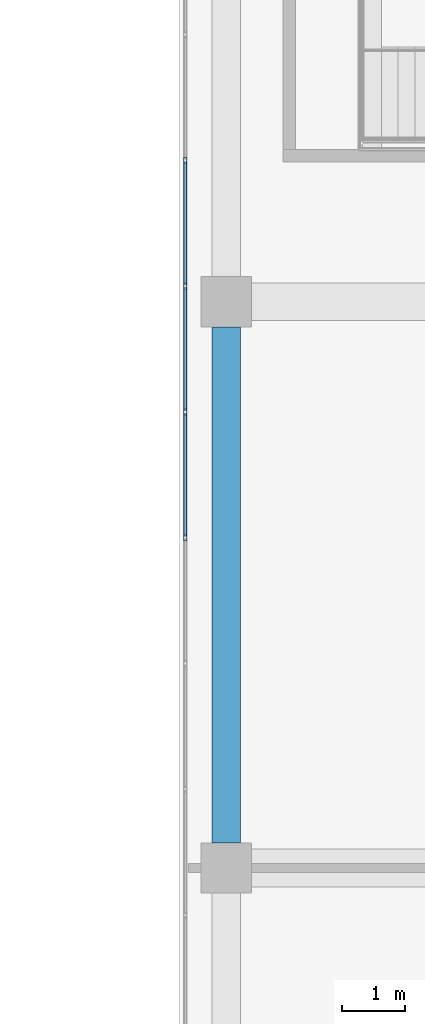
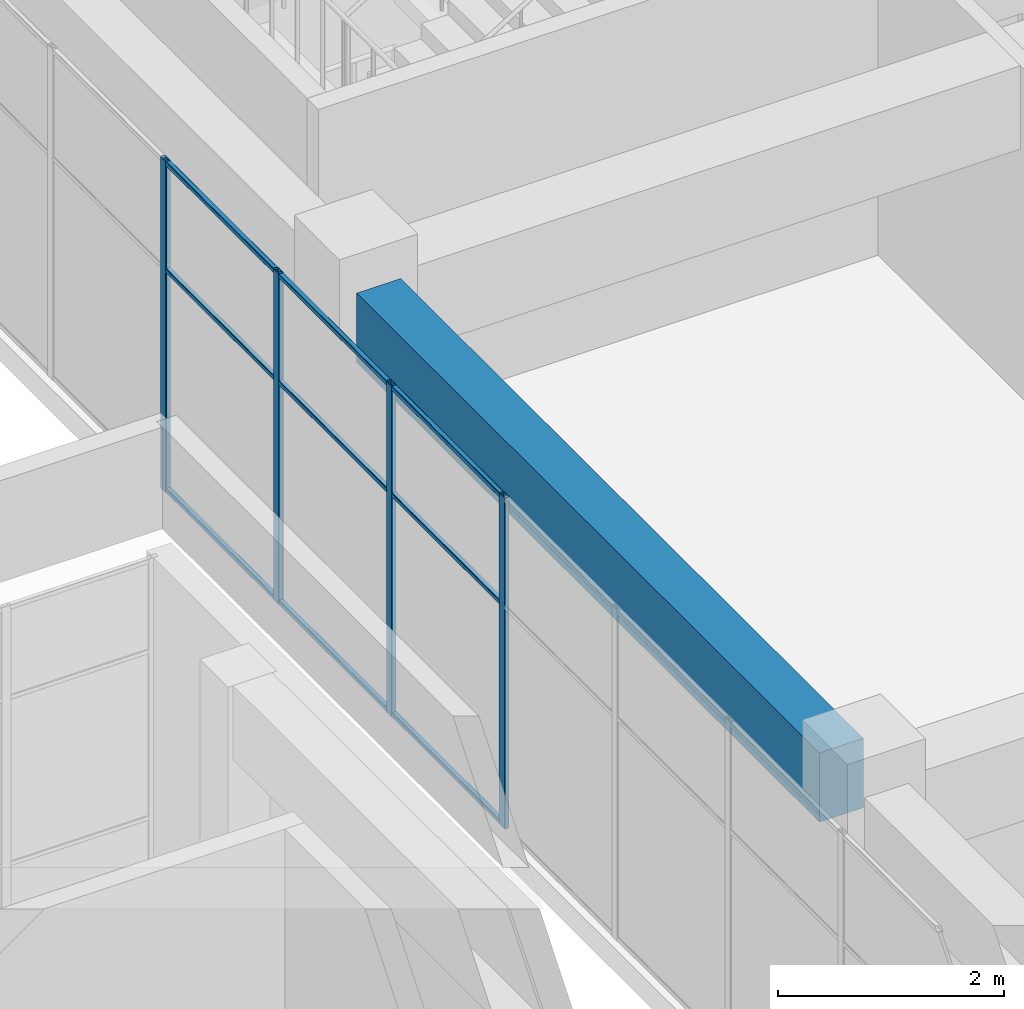
# One storey, part 35 of 72: 13 members, 1 beam, 1 element without a shape of its own.
"""IFC4 building model written with IfcOpenShell, lengths in metres."""

from ifc_helpers import new_model, si_unit, direction, frame, origin, origin_2d, place, context, subcontext, project, spatial, rectangle, hollow_rectangle, extrude, material, layer, layer_set, material_profile, profile_set, type_object, element, aggregate, save


model = new_model("IFC4")

# Units and contexts
model_context = context("Model", 3, precision=1e-05, world=origin(), true_north=direction((0.0, 1.0)))
body_context = subcontext(model_context, "Body", "Model", "MODEL_VIEW")
ifc_project = project(units=[si_unit("LENGTHUNIT", "METRE"), si_unit("AREAUNIT", "SQUARE_METRE"), si_unit("VOLUMEUNIT", "CUBIC_METRE"), si_unit("PLANEANGLEUNIT", "RADIAN"), si_unit("MASSUNIT", "GRAM", prefix="KILO")], contexts=[model_context])

# Site, building, storey
site_placement = place(None, origin())
site = spatial("IfcSite", under=ifc_project, at=site_placement, CompositionType="ELEMENT")
building_placement = place(site_placement, origin())
building = spatial("IfcBuilding", under=site, at=building_placement, Name="Tuart Plaza Theatre", CompositionType="ELEMENT")
storey_placement = place(building_placement, frame((0.0, 0.0, 13.5)))
storey = spatial("IfcBuildingStorey", under=building, at=storey_placement, Name="L03", CompositionType="ELEMENT", Elevation=13.5)

# Beam
ifc_material_1 = material(Name="Concrete N40 (40 MPa)", Category="concrete")
ifc_material_profile_1 = material_profile(ifc_material_1, rectangle(XDim=0.449951171875, YDim=0.75, at=origin_2d()), Name="BEAM 450x750 Concrete N40 (40 MPa)")
ifc_profile_set_1 = profile_set([ifc_material_profile_1], Name="Concrete N40 (40 MPa)")
beam_type = type_object("IfcBeamType", Name="BEAM 450x750 Concrete N40 (40 MPa)", PredefinedType="BEAM", material=ifc_profile_set_1)
beam_placement = place(storey_placement, frame((114.0, 74.39990234375, 3.205078125), z_axis=(0.0, 1.0, 0.0), x_axis=(-1.0, 0.0, 0.0)))
element("IfcBeam", 1, at=beam_placement, inside=storey, type_object=beam_type, Name="RB166", PredefinedType="BEAM", context=body_context, shape_type="SweptSolid", body=[
    extrude(rectangle(XDim=0.449951171875, YDim=0.75, at=origin_2d()), origin(), (0.0, 0.0, 1.0), 8.2001953125),
])

# Curtain wall, members
ifc_material_2 = material(Name="Aluminium and glass", Category="aluminium")
ifc_layer = layer(ifc_material_2, 0.10009765625)
ifc_layer_set = layer_set([ifc_layer], Name="CURTAIN WALL 2000 module")
curtain_wall_type = type_object("IfcCurtainWallType", Name="CURTAIN WALL 2000 module", PredefinedType="NOTDEFINED", material=ifc_layer_set)
curtain_wall_placement = place(storey_placement, origin())
curtain_wall = element("IfcCurtainWall", 2, at=curtain_wall_placement, inside=storey, type_object=curtain_wall_type, Name="CW73", PredefinedType="NOTDEFINED")
ifc_material_3 = material(Name="Aluminium 6063-T5", Category="aluminium")
ifc_material_profile_2 = material_profile(ifc_material_3, hollow_rectangle(XDim=0.050048828125, YDim=0.10009765625, WallThickness=0.00390625, InnerFilletRadius=0.00390625, OuterFilletRadius=0.008056640625, at=origin_2d()), Name="RHS 100x50x4")
ifc_profile_set_2 = profile_set([ifc_material_profile_2], Name="Aluminium 6063-T5")
member_type_1 = type_object("IfcMemberType", Name="MULLION RHS 100x50x4", PredefinedType="MULLION", material=ifc_profile_set_2)
member_1_placement = place(storey_placement, frame((113.35009765625, 85.25, 0.0), z_axis=(0.0, 0.0, 1.0), x_axis=(1.0, 0.0, 0.0)))
member_1 = element("IfcMember", 3, at=member_1_placement, type_object=member_type_1, Name="CW73 mullion 7", PredefinedType="MULLION", context=body_context, shape_type="SweptSolid", body=[
    extrude(hollow_rectangle(XDim=0.050048828125, YDim=0.10009765625, WallThickness=0.00390625, InnerFilletRadius=0.00390625, OuterFilletRadius=0.008056640625, at=origin_2d()), origin(), (0.0, 0.0, 1.0), 3.580078125),
])
member_2_placement = place(storey_placement, frame((113.35009765625, 83.25, 0.0), z_axis=(0.0, 0.0, 1.0), x_axis=(1.0, 0.0, 0.0)))
member_2 = element("IfcMember", 4, at=member_2_placement, type_object=member_type_1, Name="CW73 mullion 8", PredefinedType="MULLION", context=body_context, shape_type="SweptSolid", body=[
    extrude(hollow_rectangle(XDim=0.050048828125, YDim=0.10009765625, WallThickness=0.00390625, InnerFilletRadius=0.00390625, OuterFilletRadius=0.008056640625, at=origin_2d()), origin(), (0.0, 0.0, 1.0), 3.580078125),
])
member_3_placement = place(storey_placement, frame((113.35009765625, 81.25, 0.0), z_axis=(0.0, 0.0, 1.0), x_axis=(1.0, 0.0, 0.0)))
member_3 = element("IfcMember", 5, at=member_3_placement, type_object=member_type_1, Name="CW73 mullion 9", PredefinedType="MULLION", context=body_context, shape_type="SweptSolid", body=[
    extrude(hollow_rectangle(XDim=0.050048828125, YDim=0.10009765625, WallThickness=0.00390625, InnerFilletRadius=0.00390625, OuterFilletRadius=0.008056640625, at=origin_2d()), origin(), (0.0, 0.0, 1.0), 3.580078125),
])
member_4_placement = place(storey_placement, frame((113.35009765625, 79.25, 0.0), z_axis=(0.0, 0.0, 1.0), x_axis=(1.0, 0.0, 0.0)))
member_4 = element("IfcMember", 6, at=member_4_placement, type_object=member_type_1, Name="CW73 mullion 10", PredefinedType="MULLION", context=body_context, shape_type="SweptSolid", body=[
    extrude(hollow_rectangle(XDim=0.050048828125, YDim=0.10009765625, WallThickness=0.00390625, InnerFilletRadius=0.00390625, OuterFilletRadius=0.008056640625, at=origin_2d()), origin(), (0.0, 0.0, 1.0), 3.580078125),
])
ifc_material_4 = material(Name="Aluminium 6063-T5", Category="aluminium")
ifc_material_profile_3 = material_profile(ifc_material_4, hollow_rectangle(XDim=0.050048828125, YDim=0.050048828125, WallThickness=0.00390625, InnerFilletRadius=0.00390625, OuterFilletRadius=0.008056640625, at=origin_2d()), Name="RHS 50x50x4")
ifc_profile_set_3 = profile_set([ifc_material_profile_3], Name="Aluminium 6063-T5")
member_type_2 = type_object("IfcMemberType", Name="TRANSOM RHS 50x50x4", PredefinedType="USERDEFINED", material=ifc_profile_set_3)
member_5_placement = place(storey_placement, frame((113.35009765625, 85.22509765625, 0.02490234375), z_axis=(0.0, -1.0, 0.0), x_axis=(1.0, 0.0, 0.0)))
member_5 = element("IfcMember", 7, at=member_5_placement, type_object=member_type_2, Name="CW73 transom 7.1", ObjectType="TRANSOM", PredefinedType="USERDEFINED", context=body_context, shape_type="SweptSolid", body=[
    extrude(hollow_rectangle(XDim=0.050048828125, YDim=0.050048828125, WallThickness=0.00390625, InnerFilletRadius=0.00390625, OuterFilletRadius=0.008056640625, at=origin_2d()), origin(), (0.0, 0.0, 1.0), 1.9501953125),
])
member_6_placement = place(storey_placement, frame((113.35009765625, 85.22509765625, 2.39990234375), z_axis=(0.0, -1.0, 0.0), x_axis=(1.0, 0.0, 0.0)))
member_6 = element("IfcMember", 8, at=member_6_placement, type_object=member_type_2, Name="CW73 transom 7.2", ObjectType="TRANSOM", PredefinedType="USERDEFINED", context=body_context, shape_type="SweptSolid", body=[
    extrude(hollow_rectangle(XDim=0.050048828125, YDim=0.050048828125, WallThickness=0.00390625, InnerFilletRadius=0.00390625, OuterFilletRadius=0.008056640625, at=origin_2d()), origin(), (0.0, 0.0, 1.0), 1.9501953125),
])
member_7_placement = place(storey_placement, frame((113.35009765625, 85.22509765625, 3.554931640625), z_axis=(0.0, -1.0, 0.0), x_axis=(1.0, 0.0, 0.0)))
member_7 = element("IfcMember", 9, at=member_7_placement, type_object=member_type_2, Name="CW73 transom 7.3", ObjectType="TRANSOM", PredefinedType="USERDEFINED", context=body_context, shape_type="SweptSolid", body=[
    extrude(hollow_rectangle(XDim=0.050048828125, YDim=0.050048828125, WallThickness=0.00390625, InnerFilletRadius=0.00390625, OuterFilletRadius=0.008056640625, at=origin_2d()), origin(), (0.0, 0.0, 1.0), 1.9501953125),
])
member_8_placement = place(storey_placement, frame((113.35009765625, 83.22509765625, 0.02490234375), z_axis=(0.0, -1.0, 0.0), x_axis=(1.0, 0.0, 0.0)))
member_8 = element("IfcMember", 10, at=member_8_placement, type_object=member_type_2, Name="CW73 transom 8.1", ObjectType="TRANSOM", PredefinedType="USERDEFINED", context=body_context, shape_type="SweptSolid", body=[
    extrude(hollow_rectangle(XDim=0.050048828125, YDim=0.050048828125, WallThickness=0.00390625, InnerFilletRadius=0.00390625, OuterFilletRadius=0.008056640625, at=origin_2d()), origin(), (0.0, 0.0, 1.0), 1.9501953125),
])
member_9_placement = place(storey_placement, frame((113.35009765625, 83.22509765625, 2.39990234375), z_axis=(0.0, -1.0, 0.0), x_axis=(1.0, 0.0, 0.0)))
member_9 = element("IfcMember", 11, at=member_9_placement, type_object=member_type_2, Name="CW73 transom 8.2", ObjectType="TRANSOM", PredefinedType="USERDEFINED", context=body_context, shape_type="SweptSolid", body=[
    extrude(hollow_rectangle(XDim=0.050048828125, YDim=0.050048828125, WallThickness=0.00390625, InnerFilletRadius=0.00390625, OuterFilletRadius=0.008056640625, at=origin_2d()), origin(), (0.0, 0.0, 1.0), 1.9501953125),
])
member_10_placement = place(storey_placement, frame((113.35009765625, 83.22509765625, 3.554931640625), z_axis=(0.0, -1.0, 0.0), x_axis=(1.0, 0.0, 0.0)))
member_10 = element("IfcMember", 12, at=member_10_placement, type_object=member_type_2, Name="CW73 transom 8.3", ObjectType="TRANSOM", PredefinedType="USERDEFINED", context=body_context, shape_type="SweptSolid", body=[
    extrude(hollow_rectangle(XDim=0.050048828125, YDim=0.050048828125, WallThickness=0.00390625, InnerFilletRadius=0.00390625, OuterFilletRadius=0.008056640625, at=origin_2d()), origin(), (0.0, 0.0, 1.0), 1.9501953125),
])
member_11_placement = place(storey_placement, frame((113.35009765625, 81.22509765625, 0.02490234375), z_axis=(0.0, -1.0, 0.0), x_axis=(1.0, 0.0, 0.0)))
member_11 = element("IfcMember", 13, at=member_11_placement, type_object=member_type_2, Name="CW73 transom 9.1", ObjectType="TRANSOM", PredefinedType="USERDEFINED", context=body_context, shape_type="SweptSolid", body=[
    extrude(hollow_rectangle(XDim=0.050048828125, YDim=0.050048828125, WallThickness=0.00390625, InnerFilletRadius=0.00390625, OuterFilletRadius=0.008056640625, at=origin_2d()), origin(), (0.0, 0.0, 1.0), 1.9501953125),
])
member_12_placement = place(storey_placement, frame((113.35009765625, 81.22509765625, 2.39990234375), z_axis=(0.0, -1.0, 0.0), x_axis=(1.0, 0.0, 0.0)))
member_12 = element("IfcMember", 14, at=member_12_placement, type_object=member_type_2, Name="CW73 transom 9.2", ObjectType="TRANSOM", PredefinedType="USERDEFINED", context=body_context, shape_type="SweptSolid", body=[
    extrude(hollow_rectangle(XDim=0.050048828125, YDim=0.050048828125, WallThickness=0.00390625, InnerFilletRadius=0.00390625, OuterFilletRadius=0.008056640625, at=origin_2d()), origin(), (0.0, 0.0, 1.0), 1.9501953125),
])
member_13_placement = place(storey_placement, frame((113.35009765625, 81.22509765625, 3.554931640625), z_axis=(0.0, -1.0, 0.0), x_axis=(1.0, 0.0, 0.0)))
member_13 = element("IfcMember", 15, at=member_13_placement, type_object=member_type_2, Name="CW73 transom 9.3", ObjectType="TRANSOM", PredefinedType="USERDEFINED", context=body_context, shape_type="SweptSolid", body=[
    extrude(hollow_rectangle(XDim=0.050048828125, YDim=0.050048828125, WallThickness=0.00390625, InnerFilletRadius=0.00390625, OuterFilletRadius=0.008056640625, at=origin_2d()), origin(), (0.0, 0.0, 1.0), 1.9501953125),
])
aggregate(curtain_wall, [member_1, member_2, member_3, member_4, member_5, member_6, member_7, member_8, member_9, member_10, member_11, member_12, member_13])

save(model, "model.ifc")
